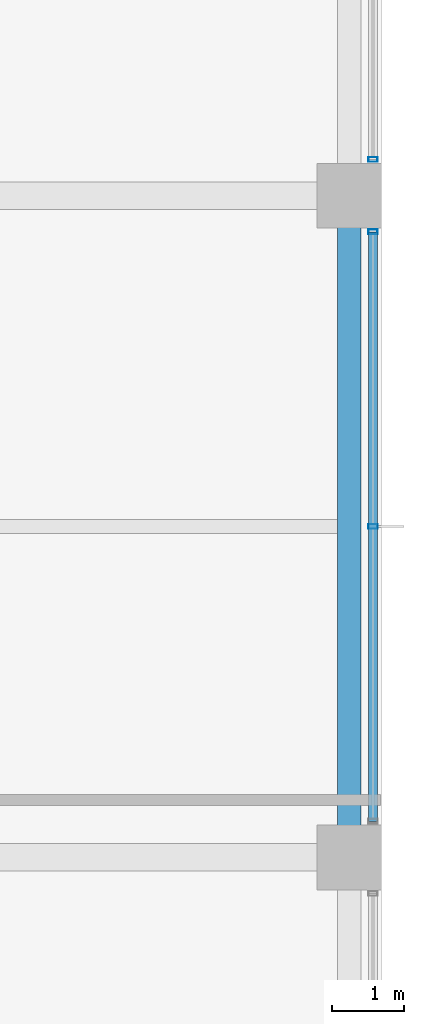
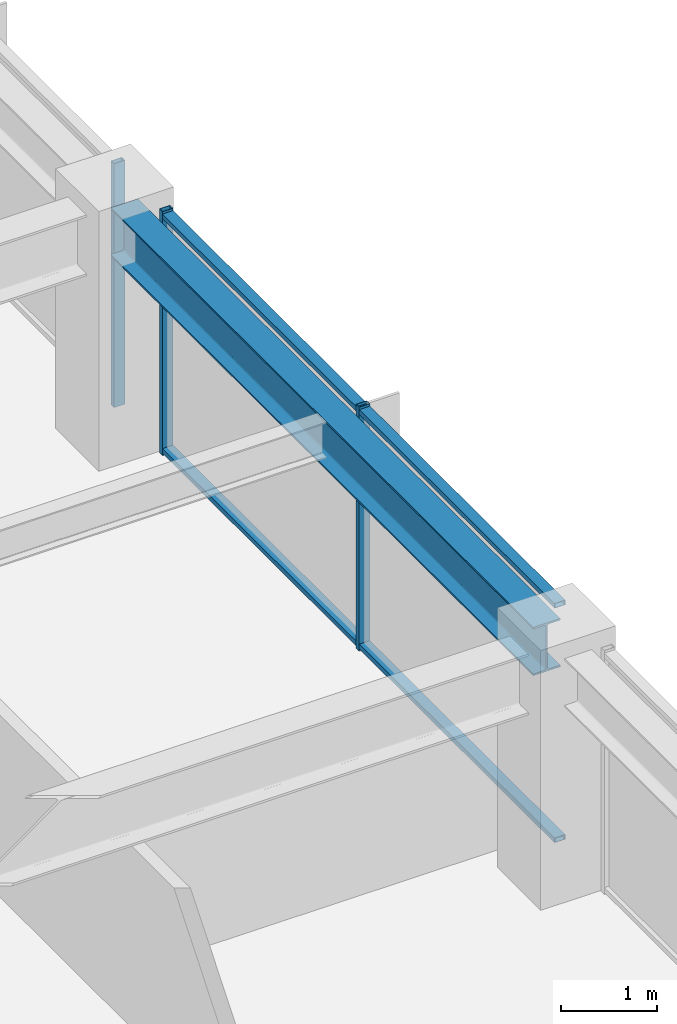
# One storey, part 14 of 31: 5 members, 1 beam, 2 elements without a shape of their own.
"""IFC4 building model written with IfcOpenShell, lengths in metres."""

from ifc_helpers import new_model, si_unit, direction, frame, origin, origin_2d, place, context, subcontext, project, spatial, hollow_rectangle, i_section, extrude, material, material_profile, profile_set, type_object, element, aggregate, save


model = new_model("IFC4")

# Units and contexts
model_context = context("Model", 3, precision=1e-05, world=origin(), true_north=direction((0.0, 1.0)))
body_context = subcontext(model_context, "Body", "Model", "MODEL_VIEW")
ifc_project = project(units=[si_unit("LENGTHUNIT", "METRE"), si_unit("AREAUNIT", "SQUARE_METRE"), si_unit("VOLUMEUNIT", "CUBIC_METRE"), si_unit("PLANEANGLEUNIT", "RADIAN"), si_unit("MASSUNIT", "GRAM", prefix="KILO")], contexts=[model_context])

# Site, building, storey
site_placement = place(None, origin())
site = spatial("IfcSite", under=ifc_project, at=site_placement, CompositionType="ELEMENT")
building_placement = place(site_placement, origin())
building = spatial("IfcBuilding", under=site, at=building_placement, Name="Kolvaren Belvedere", CompositionType="ELEMENT")
storey_placement = place(building_placement, frame((0.0, 0.0, 138.199951171875)))
storey = spatial("IfcBuildingStorey", under=building, at=storey_placement, Name="L40", CompositionType="ELEMENT", Elevation=138.199951171875)

# Beam
ifc_material_1 = material(Name="Structural steel ASTM A992 Grade 50", Category="steel")
ifc_material_profile_1 = material_profile(ifc_material_1, i_section(OverallWidth=0.324951171875, OverallDepth=0.615966796875, WebThickness=0.013916015625, FlangeThickness=0.021484375, FilletRadius=0.02001953125, at=origin_2d()), Name="W24X117")
ifc_profile_set_1 = profile_set([ifc_material_profile_1], Name="Structural steel ASTM A992 Grade 50")
beam_type = type_object("IfcBeamType", Name="BM-SPAN-W24X117", PredefinedType="SPANDREL", material=ifc_profile_set_1)
beam_placement = place(storey_placement, frame((17.550048828125, -4.3974609375, 2.7919921875), z_axis=(0.0, 1.0, 0.0), x_axis=(-1.0, 0.0, 0.0)))
element("IfcBeam", 1, at=beam_placement, inside=storey, type_object=beam_type, Name="L40 Perimeter Spandrel E2-E3", PredefinedType="SPANDREL", context=body_context, shape_type="SweptSolid", body=[
    extrude(i_section(OverallWidth=0.324951171875, OverallDepth=0.615966796875, WebThickness=0.013916015625, FlangeThickness=0.021484375, FilletRadius=0.02001953125, at=origin_2d()), origin(), (0.0, 0.0, 1.0), 8.794921875),
])

# Curtain wall, member
ifc_material_2 = material(Name="Anodised pale-metal aluminium AA 6063-T6", Category="aluminium")
curtain_wall_type = type_object("IfcCurtainWallType", Name="CW-Z3-WAIST", PredefinedType="NOTDEFINED", material=ifc_material_2)
curtain_wall_1_placement = place(storey_placement, origin())
curtain_wall_1 = element("IfcCurtainWall", 2, at=curtain_wall_1_placement, inside=storey, type_object=curtain_wall_type, Name="L40 Unitised Curtain Wall FCW-L40-E-B1", PredefinedType="NOTDEFINED")
ifc_material_3 = material(Name="Anodised pale-metal aluminium AA 6063-T6", Category="aluminium")
ifc_material_profile_2 = material_profile(ifc_material_3, hollow_rectangle(XDim=0.06494140625, YDim=0.1298828125, WallThickness=0.00390625, at=origin_2d()), Name="ALU-MUL-130X65")
ifc_profile_set_2 = profile_set([ifc_material_profile_2], Name="Anodised pale-metal aluminium AA 6063-T6")
member_type_1 = type_object("IfcMemberType", Name="CW-MUL-130", PredefinedType="MULLION", material=ifc_profile_set_2)
member_1_placement = place(storey_placement, frame((17.8798828125, 5.1025390625, 0.0), z_axis=(0.0, 0.0, 1.0), x_axis=(0.0, 1.0, 0.0)))
member_1 = element("IfcMember", 3, at=member_1_placement, type_object=member_type_1, Name="FCW-L40-E-B1 Unitised Mullion 3", PredefinedType="MULLION", context=body_context, shape_type="SweptSolid", body=[
    extrude(hollow_rectangle(XDim=0.06494140625, YDim=0.1298828125, WallThickness=0.00390625, at=origin_2d()), origin(), (0.0, 0.0, 1.0), 3.10009765625),
])
aggregate(curtain_wall_1, [member_1])

# Curtain wall, members
curtain_wall_2_placement = place(storey_placement, origin())
curtain_wall_2 = element("IfcCurtainWall", 4, at=curtain_wall_2_placement, inside=storey, type_object=curtain_wall_type, Name="L40 Unitised Curtain Wall FCW-L40-E-B2", PredefinedType="NOTDEFINED")
member_2_placement = place(storey_placement, frame((17.8798828125, 4.097412109375, 0.0), z_axis=(0.0, 0.0, 1.0), x_axis=(0.0, 1.0, 0.0)))
member_2 = element("IfcMember", 5, at=member_2_placement, type_object=member_type_1, Name="FCW-L40-E-B2 Unitised Mullion 1", PredefinedType="MULLION", context=body_context, shape_type="SweptSolid", body=[
    extrude(hollow_rectangle(XDim=0.06494140625, YDim=0.1298828125, WallThickness=0.00390625, at=origin_2d()), origin(), (0.0, 0.0, 1.0), 3.10009765625),
])
member_3_placement = place(storey_placement, frame((17.8798828125, 0.0, 0.0), z_axis=(0.0, 0.0, 1.0), x_axis=(0.0, 1.0, 0.0)))
member_3 = element("IfcMember", 6, at=member_3_placement, type_object=member_type_1, Name="FCW-L40-E-B2 Unitised Mullion 2", PredefinedType="MULLION", context=body_context, shape_type="SweptSolid", body=[
    extrude(hollow_rectangle(XDim=0.06494140625, YDim=0.1298828125, WallThickness=0.00390625, at=origin_2d()), origin(), (0.0, 0.0, 1.0), 3.10009765625),
])
ifc_material_4 = material(Name="Anodised pale-metal aluminium AA 6063-T6", Category="aluminium")
ifc_material_profile_3 = material_profile(ifc_material_4, hollow_rectangle(XDim=0.06005859375, YDim=0.1298828125, WallThickness=0.00390625, at=origin_2d()), Name="ALU-TRN-130X60")
ifc_profile_set_3 = profile_set([ifc_material_profile_3], Name="Anodised pale-metal aluminium AA 6063-T6")
member_type_2 = type_object("IfcMemberType", Name="CW-TRN-130", PredefinedType="USERDEFINED", material=ifc_profile_set_3)
member_4_placement = place(storey_placement, frame((17.8798828125, 4.097412109375, 0.06005859375), z_axis=(0.0, -1.0, 0.0), x_axis=(0.0, 0.0, 1.0)))
member_4 = element("IfcMember", 7, at=member_4_placement, type_object=member_type_2, Name="FCW-L40-E-B2 Sill Transom", ObjectType="TRANSOM", PredefinedType="USERDEFINED", context=body_context, shape_type="SweptSolid", body=[
    extrude(hollow_rectangle(XDim=0.06005859375, YDim=0.1298828125, WallThickness=0.00390625, at=origin_2d()), origin(), (0.0, 0.0, 1.0), 8.19482421875),
])
member_5_placement = place(storey_placement, frame((17.8798828125, 4.097412109375, 3.0400390625), z_axis=(0.0, -1.0, 0.0), x_axis=(0.0, 0.0, 1.0)))
member_5 = element("IfcMember", 8, at=member_5_placement, type_object=member_type_2, Name="FCW-L40-E-B2 Head Transom", ObjectType="TRANSOM", PredefinedType="USERDEFINED", context=body_context, shape_type="SweptSolid", body=[
    extrude(hollow_rectangle(XDim=0.06005859375, YDim=0.1298828125, WallThickness=0.00390625, at=origin_2d()), origin(), (0.0, 0.0, 1.0), 8.19482421875),
])
aggregate(curtain_wall_2, [member_2, member_3, member_4, member_5])

save(model, "model.ifc")
